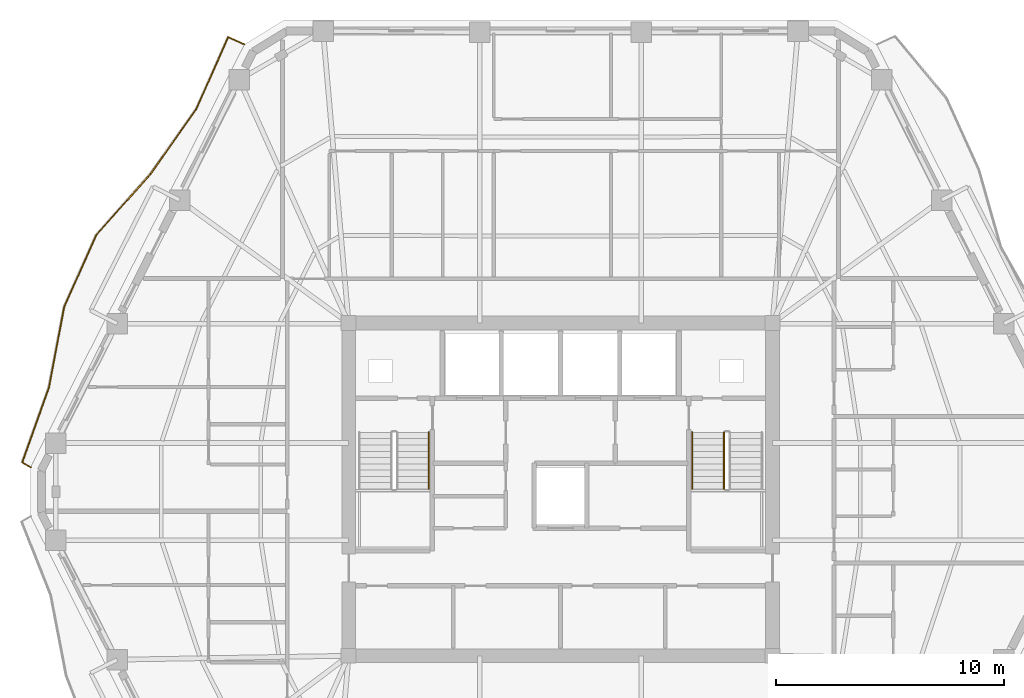
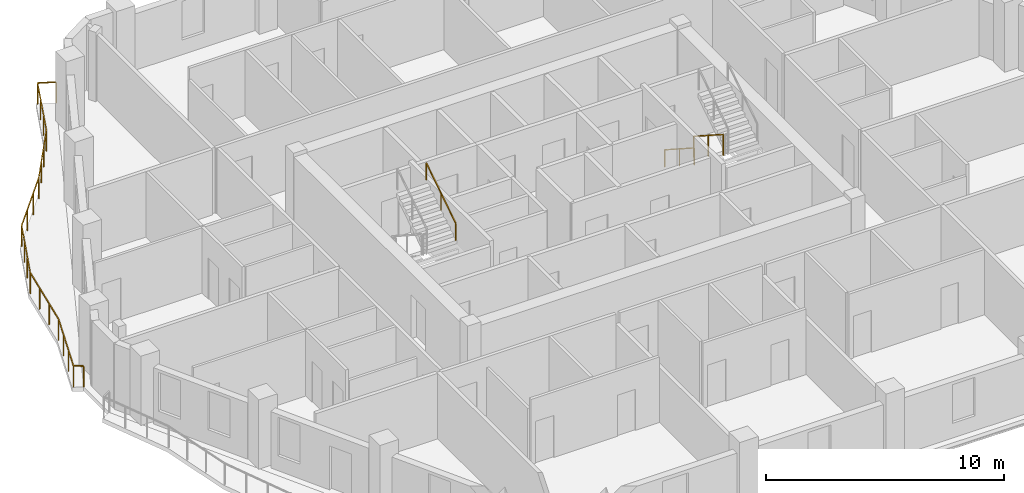
# One storey, part 10 of 12: 4 railings.
"""IFC4 building model written with IfcOpenShell, lengths in metres."""

from ifc_helpers import new_model, si_unit, direction, frame, origin, origin_2d, place, context, subcontext, project, spatial, rectangle, extrude, material, type_object, element, save


model = new_model("IFC4")

# Units and contexts
model_context = context("Model", 3, precision=1e-05, world=origin(), true_north=direction((0.0, 1.0)))
body_context = subcontext(model_context, "Body", "Model", "MODEL_VIEW")
ifc_project = project(units=[si_unit("LENGTHUNIT", "METRE"), si_unit("AREAUNIT", "SQUARE_METRE"), si_unit("VOLUMEUNIT", "CUBIC_METRE"), si_unit("PLANEANGLEUNIT", "RADIAN"), si_unit("MASSUNIT", "GRAM", prefix="KILO")], contexts=[model_context])

# Site, building, storey
site_placement = place(None, origin())
site = spatial("IfcSite", under=ifc_project, at=site_placement, CompositionType="ELEMENT")
building_placement = place(site_placement, origin())
building = spatial("IfcBuilding", under=site, at=building_placement, Name="Cinnabar Lancet Tower", CompositionType="ELEMENT")
storey_placement = place(building_placement, frame((0.0, 0.0, 189.64990234375)))
storey = spatial("IfcBuildingStorey", under=building, at=storey_placement, Name="L50", CompositionType="ELEMENT", Elevation=189.64990234375)

# Railings
ifc_material_1 = material(Name="Laminated safety glass and bronze stainless steel balustrade", Category="steel")
railing_type_1 = type_object("IfcRailingType", Name="ENV-RLG-BAL-1100", PredefinedType="BALUSTRADE", material=ifc_material_1)
railing_1_placement = place(storey_placement, frame((18.530029296875, 45.428955078125, 0.0)))
element("IfcRailing", 1, at=railing_1_placement, inside=storey, type_object=railing_type_1, Name="L50 Face 5 Wave Balcony Balustrade", PredefinedType="BALUSTRADE", context=body_context, shape_type="SweptSolid", body=[
    extrude(rectangle(XDim=0.048095703125, YDim=0.048095703125, at=origin_2d()), frame((0.0, 0.0, 1.076171875), z_axis=(-0.91019589164, 0.414178027956, 0.0), x_axis=(-0.414178027956, -0.91019589164, 0.0)), (0.0, 0.0, 1.0), 0.78466796875),
    extrude(rectangle(XDim=0.048095703125, YDim=0.048095703125, at=origin_2d()), frame((-0.714111328125, 0.324951171875, 1.076171875), z_axis=(-0.404633043849, -0.914479141274, 0.0), x_axis=(0.914479141274, -0.404633043849, 0.0)), (0.0, 0.0, 1.0), 3.462158203125),
    extrude(rectangle(XDim=0.048095703125, YDim=0.048095703125, at=origin_2d()), frame((-2.114990234375, -2.841064453125, 1.076171875), z_axis=(-0.576787447679, -0.816894265006, 0.0), x_axis=(0.816894265006, -0.576787447679, 0.0)), (0.0, 0.0, 1.0), 3.49365234375),
    extrude(rectangle(XDim=0.048095703125, YDim=0.048095703125, at=origin_2d()), frame((-4.130126953125, -5.695068359375, 1.076171875), z_axis=(-0.664020274567, -0.747714567843, 0.0), x_axis=(0.747714567843, -0.664020274567, 0.0)), (0.0, 0.0, 1.0), 3.573486328125),
    extrude(rectangle(XDim=0.048095703125, YDim=0.048095703125, at=origin_2d()), frame((-6.5029296875, -8.366943359375, 1.076171875), z_axis=(-0.407395447999, -0.913251854063, 0.0), x_axis=(0.913251854063, -0.407395447999, 0.0)), (0.0, 0.0, 1.0), 3.458984375),
    extrude(rectangle(XDim=0.048095703125, YDim=0.048095703125, at=origin_2d()), frame((-7.912109375, -11.52587890625, 1.076171875), z_axis=(-0.185927079749, -0.982563545536, 0.0), x_axis=(0.982563545536, -0.185927079749, 0.0)), (0.0, 0.0, 1.0), 3.597900390625),
    extrude(rectangle(XDim=0.048095703125, YDim=0.048095703125, at=origin_2d()), frame((-8.5810546875, -15.06103515625, 1.076171875), z_axis=(-0.33602125402, -0.94185440321, 0.0), x_axis=(0.94185440321, -0.33602125402, 0.0)), (0.0, 0.0, 1.0), 3.484619140625),
    extrude(rectangle(XDim=0.048095703125, YDim=0.048095703125, at=origin_2d()), frame((-9.751953125, -18.343017578125, 1.076171875), z_axis=(0.86119088393, -0.508281675291, 0.0), x_axis=(0.508281675291, 0.86119088393, 0.0)), (0.0, 0.0, 1.0), 0.422607421875),
    extrude(rectangle(XDim=0.0419921875, YDim=0.0419921875, at=origin_2d()), origin(), (0.0, 0.0, 1.0), 1.052001953125),
    extrude(rectangle(XDim=0.0419921875, YDim=0.0419921875, at=origin_2d()), frame((-0.714111328125, 0.324951171875, 0.0)), (0.0, 0.0, 1.0), 1.052001953125),
    extrude(rectangle(XDim=0.0419921875, YDim=0.0419921875, at=origin_2d()), frame((-1.18115234375, -0.73046875, 0.0)), (0.0, 0.0, 1.0), 1.052001953125),
    extrude(rectangle(XDim=0.0419921875, YDim=0.0419921875, at=origin_2d()), frame((-1.64794921875, -1.78564453125, 0.0)), (0.0, 0.0, 1.0), 1.052001953125),
    extrude(rectangle(XDim=0.0419921875, YDim=0.0419921875, at=origin_2d()), frame((-2.114990234375, -2.841064453125, 0.0)), (0.0, 0.0, 1.0), 1.052001953125),
    extrude(rectangle(XDim=0.0419921875, YDim=0.0419921875, at=origin_2d()), frame((-2.78662109375, -3.79248046875, 0.0)), (0.0, 0.0, 1.0), 1.052001953125),
    extrude(rectangle(XDim=0.0419921875, YDim=0.0419921875, at=origin_2d()), frame((-3.45849609375, -4.74365234375, 0.0)), (0.0, 0.0, 1.0), 1.052001953125),
    extrude(rectangle(XDim=0.0419921875, YDim=0.0419921875, at=origin_2d()), frame((-4.130126953125, -5.695068359375, 0.0)), (0.0, 0.0, 1.0), 1.052001953125),
    extrude(rectangle(XDim=0.0419921875, YDim=0.0419921875, at=origin_2d()), frame((-4.921142578125, -6.585693359375, 0.0)), (0.0, 0.0, 1.0), 1.052001953125),
    extrude(rectangle(XDim=0.0419921875, YDim=0.0419921875, at=origin_2d()), frame((-5.7119140625, -7.476318359375, 0.0)), (0.0, 0.0, 1.0), 1.052001953125),
    extrude(rectangle(XDim=0.0419921875, YDim=0.0419921875, at=origin_2d()), frame((-6.5029296875, -8.366943359375, 0.0)), (0.0, 0.0, 1.0), 1.052001953125),
    extrude(rectangle(XDim=0.0419921875, YDim=0.0419921875, at=origin_2d()), frame((-6.97265625, -9.419921875, 0.0)), (0.0, 0.0, 1.0), 1.052001953125),
    extrude(rectangle(XDim=0.0419921875, YDim=0.0419921875, at=origin_2d()), frame((-7.4423828125, -10.472900390625, 0.0)), (0.0, 0.0, 1.0), 1.052001953125),
    extrude(rectangle(XDim=0.0419921875, YDim=0.0419921875, at=origin_2d()), frame((-7.912109375, -11.52587890625, 0.0)), (0.0, 0.0, 1.0), 1.052001953125),
    extrude(rectangle(XDim=0.0419921875, YDim=0.0419921875, at=origin_2d()), frame((-8.135009765625, -12.704345703125, 0.0)), (0.0, 0.0, 1.0), 1.052001953125),
    extrude(rectangle(XDim=0.0419921875, YDim=0.0419921875, at=origin_2d()), frame((-8.358154296875, -13.882568359375, 0.0)), (0.0, 0.0, 1.0), 1.052001953125),
    extrude(rectangle(XDim=0.0419921875, YDim=0.0419921875, at=origin_2d()), frame((-8.5810546875, -15.06103515625, 0.0)), (0.0, 0.0, 1.0), 1.052001953125),
    extrude(rectangle(XDim=0.0419921875, YDim=0.0419921875, at=origin_2d()), frame((-8.971435546875, -16.155029296875, 0.0)), (0.0, 0.0, 1.0), 1.052001953125),
    extrude(rectangle(XDim=0.0419921875, YDim=0.0419921875, at=origin_2d()), frame((-9.361572265625, -17.2490234375, 0.0)), (0.0, 0.0, 1.0), 1.052001953125),
    extrude(rectangle(XDim=0.0419921875, YDim=0.0419921875, at=origin_2d()), frame((-9.751953125, -18.343017578125, 0.0)), (0.0, 0.0, 1.0), 1.052001953125),
    extrude(rectangle(XDim=0.0419921875, YDim=0.0419921875, at=origin_2d()), frame((-9.387939453125, -18.557861328125, 0.0)), (0.0, 0.0, 1.0), 1.052001953125),
])
ifc_material_2 = material(Name="Painted galvanized steel balustrade", Category="steel")
railing_type_2 = type_object("IfcRailingType", Name="GUARD-STAIR", PredefinedType="GUARDRAIL", material=ifc_material_2)
railing_2_placement = place(storey_placement, frame((39.574951171875, 28.39990234375, 0.177490234375)))
element("IfcRailing", 2, at=railing_2_placement, inside=storey, type_object=railing_type_2, Name="L50 ST-2 stair guard 1", PredefinedType="GUARDRAIL", context=body_context, shape_type="SweptSolid", body=[
    extrude(rectangle(XDim=0.048095703125, YDim=0.048095703125, at=origin_2d()), frame((0.0, 0.0, 1.076171875), z_axis=(0.0, -0.84014559416, 0.542360932049), x_axis=(1.0, 0.0, 0.0)), (0.0, 0.0, 1.0), 2.94580078125),
    extrude(rectangle(XDim=0.0419921875, YDim=0.0419921875, at=origin_2d()), origin(), (0.0, 0.0, 1.0), 1.052001953125),
    extrude(rectangle(XDim=0.0419921875, YDim=0.0419921875, at=origin_2d()), frame((0.0, -1.2373046875, 0.798828125)), (0.0, 0.0, 1.0), 1.052001953125),
    extrude(rectangle(XDim=0.0419921875, YDim=0.0419921875, at=origin_2d()), frame((0.0, -2.474853515625, 1.59765625)), (0.0, 0.0, 1.0), 1.052001953125),
])
ifc_material_3 = material(Name="Brushed stainless steel handrail", Category="steel")
railing_type_3 = type_object("IfcRailingType", Name="HANDRAIL-STAIR", PredefinedType="HANDRAIL", material=ifc_material_3)
railing_3_placement = place(storey_placement, frame((26.625, 25.925048828125, 1.95263671875)))
element("IfcRailing", 3, at=railing_3_placement, inside=storey, type_object=railing_type_3, Name="L50 ST-1 stair handrail 2", PredefinedType="HANDRAIL", context=body_context, shape_type="SweptSolid", body=[
    extrude(rectangle(XDim=0.048095703125, YDim=0.048095703125, at=origin_2d()), frame((0.0, 0.0, 0.8759765625), z_axis=(0.0, 0.840183358697, 0.542302428327), x_axis=(-1.0, 0.0, 0.0)), (0.0, 0.0, 1.0), 2.945556640625),
    extrude(rectangle(XDim=0.0419921875, YDim=0.0419921875, at=origin_2d()), origin(), (0.0, 0.0, 1.0), 0.851806640625),
    extrude(rectangle(XDim=0.0419921875, YDim=0.0419921875, at=origin_2d()), frame((0.0, 1.2373046875, 0.798828125)), (0.0, 0.0, 1.0), 0.851806640625),
    extrude(rectangle(XDim=0.0419921875, YDim=0.0419921875, at=origin_2d()), frame((0.0, 2.474853515625, 1.597412109375)), (0.0, 0.0, 1.0), 0.851806640625),
])
railing_4_placement = place(storey_placement, frame((38.175048828125, 28.39990234375, 0.177490234375)))
element("IfcRailing", 4, at=railing_4_placement, inside=storey, type_object=railing_type_3, Name="L50 ST-2 stair handrail 1", PredefinedType="HANDRAIL", context=body_context, shape_type="SweptSolid", body=[
    extrude(rectangle(XDim=0.048095703125, YDim=0.048095703125, at=origin_2d()), frame((0.0, 0.0, 0.8759765625), z_axis=(0.0, -0.84014559416, 0.542360932049), x_axis=(1.0, 0.0, 0.0)), (0.0, 0.0, 1.0), 2.94580078125),
    extrude(rectangle(XDim=0.0419921875, YDim=0.0419921875, at=origin_2d()), origin(), (0.0, 0.0, 1.0), 0.851806640625),
    extrude(rectangle(XDim=0.0419921875, YDim=0.0419921875, at=origin_2d()), frame((0.0, -1.2373046875, 0.798828125)), (0.0, 0.0, 1.0), 0.851806640625),
    extrude(rectangle(XDim=0.0419921875, YDim=0.0419921875, at=origin_2d()), frame((0.0, -2.474853515625, 1.59765625)), (0.0, 0.0, 1.0), 0.851806640625),
])

save(model, "model.ifc")
